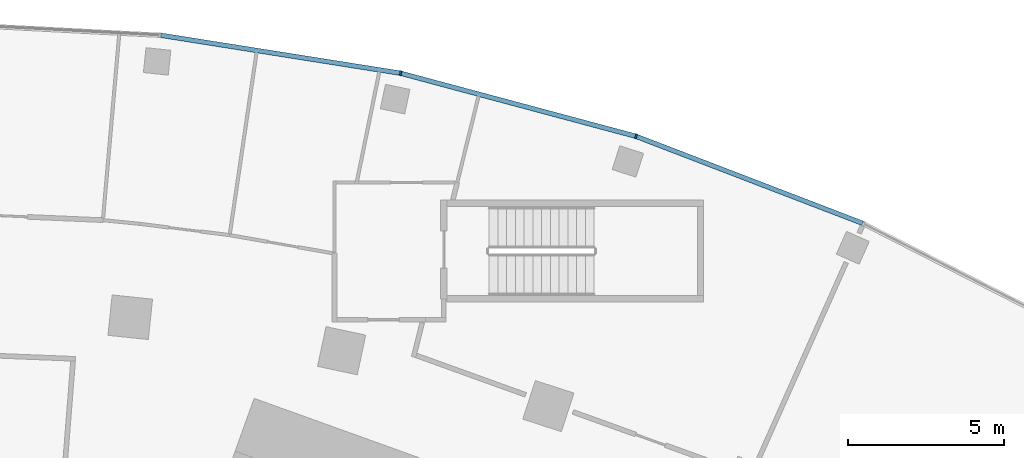
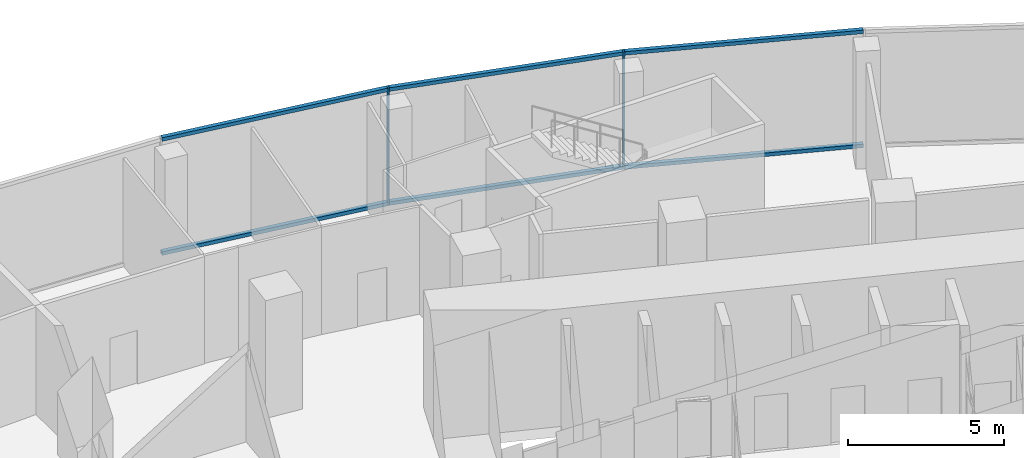
# One storey, part 11 of 39: 8 members, 1 element without a shape of its own.
"""IFC4 building model written with IfcOpenShell, lengths in metres."""

import ifcopenshell
import ifcopenshell.guid

model = None  # the IFC model being written
_history = None  # IfcOwnerHistory: only IFC2X3 demands one
_inside = {}  # id of a spatial element -> (the spatial element, [elements in it])
_under = {}  # id of a project, library or spatial element -> (it, [spatial elements below it])
_declared = {}  # id of a project -> (the project, [libraries it declares])
_typed = {}  # id of a type object -> (the type object, [elements of that type])
_made_of = {}  # id of a material, layer set ... -> (it, [elements and type objects made of it])


def new_model(schema):
    """Start an empty IFC model of exactly this schema.

    Asked for "IFC4X3", IfcOpenShell would pick the latest addendum, in which some entities
    have other attributes; the version numbers below select the first issue.
    IFC2X3 requires an IfcOwnerHistory on every rooted entity: one is made here for all.
    """
    global model, _history
    if schema == "IFC4X3":
        model = ifcopenshell.file(schema_version=(4, 3, 0, 0))
    else:
        model = ifcopenshell.file(schema=schema)
    _inside.clear()
    _under.clear()
    _declared.clear()
    _typed.clear()
    _made_of.clear()
    _history = None
    if model.schema == "IFC2X3":
        org = make("IfcOrganization", Name="unknown")
        user = make(
            "IfcPersonAndOrganization",
            ThePerson=make("IfcPerson", FamilyName="unknown"),
            TheOrganization=org,
        )
        app = make(
            "IfcApplication",
            ApplicationDeveloper=org,
            Version="unknown",
            ApplicationFullName="unknown",
            ApplicationIdentifier="unknown",
        )
        _history = make(
            "IfcOwnerHistory",
            OwningUser=user,
            OwningApplication=app,
            ChangeAction="ADDED",
            CreationDate=0,
        )
    return model


def make(cls, **values):
    """One entity of the class cls with the attributes given. An attribute that is None is left unset."""
    return model.create_entity(
        cls, **{name: value for name, value in values.items() if value is not None}
    )


def rooted(cls, **values):
    """An entity with a GlobalId (a new one), such as an element, a storey or a relation."""
    return make(cls, GlobalId=ifcopenshell.guid.new(), OwnerHistory=_history, **values)


def si_unit(unit_type, name, prefix=None):
    """IfcSIUnit, for example si_unit("LENGTHUNIT", "METRE", prefix="MILLI")."""
    return make("IfcSIUnit", UnitType=unit_type, Prefix=prefix, Name=name)


def assignment(units):
    """IfcUnitAssignment: the units of a project."""
    return None if units is None else make("IfcUnitAssignment", Units=units)


def point(xyz):
    """IfcCartesianPoint."""
    return None if xyz is None else make("IfcCartesianPoint", Coordinates=xyz)


def direction(xyz):
    """IfcDirection."""
    return None if xyz is None else make("IfcDirection", DirectionRatios=xyz)


def frame(location, z_axis=None, x_axis=None):
    """IfcAxis2Placement3D, a coordinate frame: its origin and axes. An axis left out is left unset."""
    return make(
        "IfcAxis2Placement3D",
        Location=point(location),
        Axis=direction(z_axis),
        RefDirection=direction(x_axis),
    )


def frame_2d(location, x_axis=None):
    """IfcAxis2Placement2D, a coordinate frame in the plane: its origin and x axis."""
    return make(
        "IfcAxis2Placement2D", Location=point(location), RefDirection=direction(x_axis)
    )


def origin():
    """The frame at (0, 0, 0) with its axes left unset."""
    return frame((0.0, 0.0, 0.0))


def origin_2d():
    """The frame at (0, 0) in the plane with its x axis left unset."""
    return frame_2d((0.0, 0.0))


def place(relative_to, where):
    """IfcLocalPlacement: puts the frame where relative to a parent placement (None: the world)."""
    return make(
        "IfcLocalPlacement", PlacementRelTo=relative_to, RelativePlacement=where
    )


def context(
    kind, dimensions, precision=None, world=None, true_north=None, identifier=None
):
    """IfcGeometricRepresentationContext, for example the 3D "Model" context."""
    return make(
        "IfcGeometricRepresentationContext",
        ContextIdentifier=identifier,
        ContextType=kind,
        CoordinateSpaceDimension=dimensions,
        Precision=precision,
        WorldCoordinateSystem=world,
        TrueNorth=true_north,
    )


def subcontext(parent, identifier, kind, view, scale=None):
    """IfcGeometricRepresentationSubContext, for example "Body" below "Model"."""
    return make(
        "IfcGeometricRepresentationSubContext",
        ContextIdentifier=identifier,
        ContextType=kind,
        ParentContext=parent,
        TargetScale=scale,
        TargetView=view,
    )


def project(units=None, contexts=None):
    """IfcProject with its units and contexts."""
    return rooted(
        "IfcProject",
        Name="project",
        RepresentationContexts=contexts,
        UnitsInContext=assignment(units),
    )


def spatial(cls, under=None, at=None, **own):
    """A site, building, storey or space (cls), placed at a placement, below another one or the project."""
    s = rooted(cls, ObjectPlacement=at, **own)
    if under is not None:
        _under.setdefault(under.id(), (under, []))[1].append(s)
    return s


def profile(cls, at=None, kind="AREA", **sizes):
    """A parametric profile (cls). Its sizes go by their IFC names, for example OverallWidth=200.0."""
    return make(cls, ProfileType=kind, Position=at, **sizes)


def rectangle(**sizes):
    """IfcRectangleProfileDef."""
    return profile("IfcRectangleProfileDef", **sizes)


def extrude(swept, where, along, depth):
    """IfcExtrudedAreaSolid: the profile swept, set in the frame where, extruded along a direction by depth."""
    return make(
        "IfcExtrudedAreaSolid",
        SweptArea=swept,
        Position=where,
        ExtrudedDirection=direction(along),
        Depth=depth,
    )


def shape(context_of_items, identifier, shape_type, items):
    """IfcShapeRepresentation: the items that make up one representation, for example the "Body"."""
    return make(
        "IfcShapeRepresentation",
        ContextOfItems=context_of_items,
        RepresentationIdentifier=identifier,
        RepresentationType=shape_type,
        Items=items,
    )


def material(Name=None, Category=None):
    """IfcMaterial."""
    return make("IfcMaterial", Name=Name, Category=Category)


def layer(
    of_material, thickness, ventilated=None, Name=None, Category=None, Priority=None
):
    """IfcMaterialLayer: one layer of a wall or slab, of a material (None: an air gap)."""
    return make(
        "IfcMaterialLayer",
        Material=of_material,
        LayerThickness=thickness,
        IsVentilated=ventilated,
        Name=Name,
        Category=Category,
        Priority=Priority,
    )


def layer_set(layers, Name=None):
    """IfcMaterialLayerSet."""
    return make("IfcMaterialLayerSet", MaterialLayers=layers, LayerSetName=Name)


def material_profile(
    of_material, cross_section, Name=None, Category=None, Priority=None
):
    """IfcMaterialProfile: a cross section and its material."""
    return make(
        "IfcMaterialProfile",
        Name=Name,
        Material=of_material,
        Profile=cross_section,
        Priority=Priority,
        Category=Category,
    )


def profile_set(profiles, Name=None, composite=None):
    """IfcMaterialProfileSet."""
    return make(
        "IfcMaterialProfileSet",
        Name=Name,
        MaterialProfiles=profiles,
        CompositeProfile=composite,
    )


def made_of(thing, what):
    """Note that an element or type object is made of a material, layer set ...; save() writes the relation."""
    if what is not None:
        _made_of.setdefault(what.id(), (what, []))[1].append(thing)
    return thing


def type_object(cls, material=None, **own):
    """A type object (cls), such as IfcWallType, which elements share."""
    return made_of(rooted(cls, **own), material)


def element(
    cls,
    number,
    at=None,
    inside=None,
    cuts=None,
    type_object=None,
    material=None,
    context=None,
    identifier="Body",
    shape_type=None,
    held_by="IfcProductDefinitionShape",
    body=None,
    shapes=None,
    **own,
):
    """One element of the class cls, such as IfcWall. Its Tag is "e" and its number.

    at: its placement. inside: the storey or other place that contains it. cuts: it is an
    opening in that element (IfcRelVoidsElement). A single representation is given by context,
    identifier, shape_type and body (its items); several are given by shapes. held_by: the class
    of the entity that holds the representations. save() writes the other relations.
    """
    e = rooted(cls, Tag="e%d" % number, ObjectPlacement=at, **own)
    if body is not None:
        shapes = [shape(context, identifier, shape_type, body)]
    if shapes is not None:
        e.Representation = make(held_by, Representations=shapes)
    if inside is not None:
        _inside.setdefault(inside.id(), (inside, []))[1].append(e)
    if cuts is not None:
        rooted(
            "IfcRelVoidsElement", RelatingBuildingElement=cuts, RelatedOpeningElement=e
        )
    if type_object is not None:
        _typed.setdefault(type_object.id(), (type_object, []))[1].append(e)
    return made_of(e, material)


def aggregate(whole, parts):
    """IfcRelAggregates: a whole, such as a stair, and the parts it consists of."""
    return rooted("IfcRelAggregates", RelatingObject=whole, RelatedObjects=parts)


def save(model, path):
    """Write the relations noted so far, then the file.

    IfcRelAggregates (storeys below a building ...), IfcRelContainedInSpatialStructure (elements
    in a storey), IfcRelDefinesByType, IfcRelAssociatesMaterial and IfcRelDeclares: one each for
    every whole, place, type object, material and project.
    """
    for whole, parts in _under.values():
        aggregate(whole, parts)
    for where, things in _inside.values():
        rooted(
            "IfcRelContainedInSpatialStructure",
            RelatedElements=things,
            RelatingStructure=where,
        )
    for kind, things in _typed.values():
        rooted("IfcRelDefinesByType", RelatedObjects=things, RelatingType=kind)
    for what, things in _made_of.values():
        rooted("IfcRelAssociatesMaterial", RelatedObjects=things, RelatingMaterial=what)
    for by, libraries in _declared.values():
        rooted("IfcRelDeclares", RelatingContext=by, RelatedDefinitions=libraries)
    model.write(path)


model = new_model("IFC4")

# Units and contexts
model_context = context("Model", 3, precision=1e-05, world=origin(), true_north=direction((0.0, 1.0)))
body_context = subcontext(model_context, "Body", "Model", "MODEL_VIEW")
ifc_project = project(units=[si_unit("LENGTHUNIT", "METRE"), si_unit("AREAUNIT", "SQUARE_METRE"), si_unit("VOLUMEUNIT", "CUBIC_METRE"), si_unit("PLANEANGLEUNIT", "RADIAN"), si_unit("MASSUNIT", "GRAM", prefix="KILO")], contexts=[model_context])

# Site, building, storey
site_placement = place(None, origin())
site = spatial("IfcSite", under=ifc_project, at=site_placement, CompositionType="ELEMENT")
building_placement = place(site_placement, origin())
building = spatial("IfcBuilding", under=site, at=building_placement, Name="Stone Belt Terrace Tower", CompositionType="ELEMENT")
storey_placement = place(building_placement, frame((0.0, 0.0, 16.199951171875)))
storey = spatial("IfcBuildingStorey", under=building, at=storey_placement, Name="L03", CompositionType="ELEMENT", Elevation=16.199951171875)

# Curtain wall, members
ifc_material = material(Name="Aluminium 6063-T6 anodised frame", Category="aluminium")
ifc_layer = layer(ifc_material, 0.14990234375)
ifc_layer_set = layer_set([ifc_layer], Name="CW-D podium shopfront")
curtain_wall_type = type_object("IfcCurtainWallType", Name="CW-D podium shopfront", PredefinedType="NOTDEFINED", material=ifc_layer_set)
curtain_wall_placement = place(storey_placement, origin())
curtain_wall = element("IfcCurtainWall", 1, at=curtain_wall_placement, inside=storey, type_object=curtain_wall_type, Name="CW-D convex face L03", PredefinedType="NOTDEFINED")
ifc_material_profile_1 = material_profile(ifc_material, rectangle(XDim=0.14990234375, YDim=0.06005859375, at=origin_2d()), Name="Aluminium 6063-T6 60x150")
ifc_profile_set_1 = profile_set([ifc_material_profile_1], Name="Aluminium 6063-T6 anodised frame")
member_type_1 = type_object("IfcMemberType", Name="CW-D mullion 60 x 150", PredefinedType="MULLION", material=ifc_profile_set_1)
member_1_placement = place(storey_placement, frame((23.044921875, 70.925048828125, 0.0), z_axis=(0.0, 0.0, 1.0), x_axis=(-0.309016994375, -0.951056516295, 0.0)))
member_1 = element("IfcMember", 2, at=member_1_placement, type_object=member_type_1, Name="CW-D mullion 10", PredefinedType="MULLION", context=body_context, shape_type="SweptSolid", body=[
    extrude(rectangle(XDim=0.14990234375, YDim=0.06005859375, at=origin_2d()), origin(), (0.0, 0.0, 1.0), 4.60009765625),
])
member_2_placement = place(storey_placement, frame((15.505126953125, 72.945556640625, 0.0), z_axis=(0.0, 0.0, 1.0), x_axis=(-0.207911690818, -0.978147600734, 0.0)))
member_2 = element("IfcMember", 3, at=member_2_placement, type_object=member_type_1, Name="CW-D mullion 11", PredefinedType="MULLION", context=body_context, shape_type="SweptSolid", body=[
    extrude(rectangle(XDim=0.14990234375, YDim=0.06005859375, at=origin_2d()), origin(), (0.0, 0.0, 1.0), 4.60009765625),
])
ifc_material_profile_2 = material_profile(ifc_material, rectangle(XDim=0.14990234375, YDim=0.139892578125, at=origin_2d()), Name="Aluminium 6063-T6 150x140")
ifc_profile_set_2 = profile_set([ifc_material_profile_2], Name="Aluminium 6063-T6 anodised frame")
member_type_2 = type_object("IfcMemberType", Name="CW-D transom 140 x 150", PredefinedType="USERDEFINED", material=ifc_profile_set_2)
member_3_placement = place(storey_placement, frame((30.30078125, 68.139892578125, 0.070068359375), z_axis=(-0.933575536994, 0.358380686878, 0.0), x_axis=(-0.358380686878, -0.933575536994, 0.0)))
member_3 = element("IfcMember", 4, at=member_3_placement, type_object=member_type_2, Name="CW-D transom 9.1", ObjectType="TRANSOM", PredefinedType="USERDEFINED", context=body_context, shape_type="SweptSolid", body=[
    extrude(rectangle(XDim=0.14990234375, YDim=0.139892578125, at=origin_2d()), origin(), (0.0, 0.0, 1.0), 7.738037109375),
])
member_4_placement = place(storey_placement, frame((30.30078125, 68.139892578125, 4.530029296875), z_axis=(-0.933575536994, 0.358380686878, 0.0), x_axis=(-0.358380686878, -0.933575536994, 0.0)))
member_4 = element("IfcMember", 5, at=member_4_placement, type_object=member_type_2, Name="CW-D transom 9.2", ObjectType="TRANSOM", PredefinedType="USERDEFINED", context=body_context, shape_type="SweptSolid", body=[
    extrude(rectangle(XDim=0.14990234375, YDim=0.139892578125, at=origin_2d()), origin(), (0.0, 0.0, 1.0), 7.738037109375),
])
member_5_placement = place(storey_placement, frame((23.01220703125, 70.933837890625, 0.070068359375), z_axis=(-0.965920024897, 0.258840695223, 0.0), x_axis=(-0.258840695223, -0.965920024897, 0.0)))
member_5 = element("IfcMember", 6, at=member_5_placement, type_object=member_type_2, Name="CW-D transom 10.1", ObjectType="TRANSOM", PredefinedType="USERDEFINED", context=body_context, shape_type="SweptSolid", body=[
    extrude(rectangle(XDim=0.14990234375, YDim=0.139892578125, at=origin_2d()), origin(), (0.0, 0.0, 1.0), 7.738037109375),
])
member_6_placement = place(storey_placement, frame((23.01220703125, 70.933837890625, 4.530029296875), z_axis=(-0.965920024897, 0.258840695223, 0.0), x_axis=(-0.258840695223, -0.965920024897, 0.0)))
member_6 = element("IfcMember", 7, at=member_6_placement, type_object=member_type_2, Name="CW-D transom 10.2", ObjectType="TRANSOM", PredefinedType="USERDEFINED", context=body_context, shape_type="SweptSolid", body=[
    extrude(rectangle(XDim=0.14990234375, YDim=0.139892578125, at=origin_2d()), origin(), (0.0, 0.0, 1.0), 7.738037109375),
])
member_7_placement = place(storey_placement, frame((15.4716796875, 72.95068359375, 0.070068359375), z_axis=(-0.987685334162, 0.156453445733, 0.0), x_axis=(-0.156453445733, -0.987685334162, 0.0)))
member_7 = element("IfcMember", 8, at=member_7_placement, type_object=member_type_2, Name="CW-D transom 11.1", ObjectType="TRANSOM", PredefinedType="USERDEFINED", context=body_context, shape_type="SweptSolid", body=[
    extrude(rectangle(XDim=0.14990234375, YDim=0.139892578125, at=origin_2d()), origin(), (0.0, 0.0, 1.0), 7.73828125),
])
member_8_placement = place(storey_placement, frame((15.4716796875, 72.95068359375, 4.530029296875), z_axis=(-0.987685334162, 0.156453445733, 0.0), x_axis=(-0.156453445733, -0.987685334162, 0.0)))
member_8 = element("IfcMember", 9, at=member_8_placement, type_object=member_type_2, Name="CW-D transom 11.2", ObjectType="TRANSOM", PredefinedType="USERDEFINED", context=body_context, shape_type="SweptSolid", body=[
    extrude(rectangle(XDim=0.14990234375, YDim=0.139892578125, at=origin_2d()), origin(), (0.0, 0.0, 1.0), 7.73828125),
])
aggregate(curtain_wall, [member_1, member_2, member_3, member_4, member_5, member_6, member_7, member_8])

save(model, "model.ifc")
